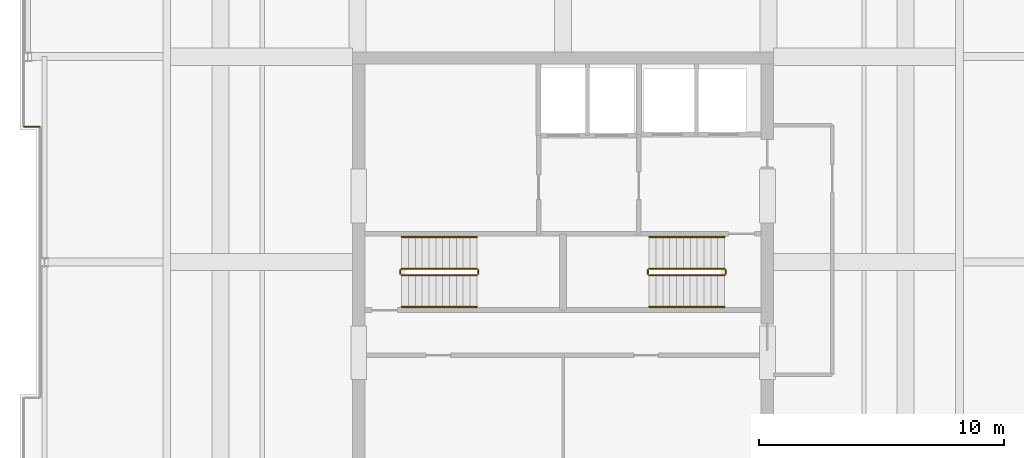
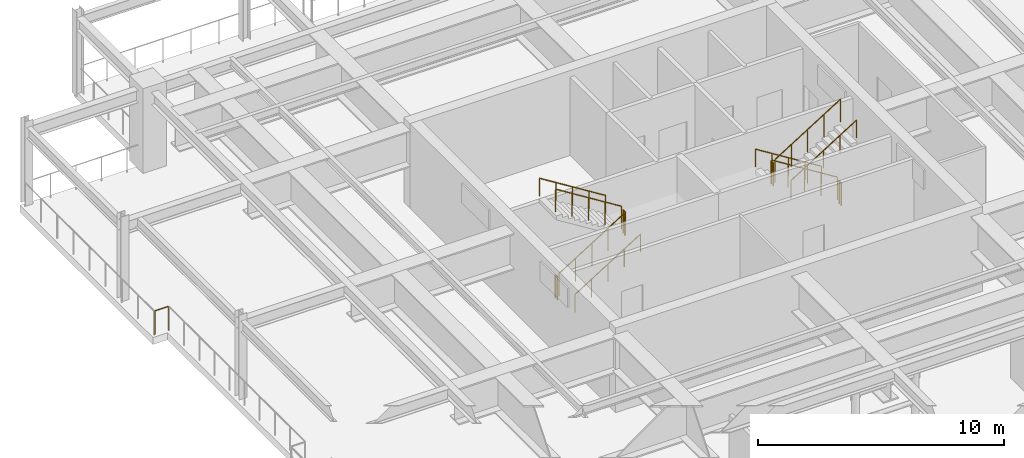
# One storey, part 11 of 12: 13 railings.
"""IFC4 building model written with IfcOpenShell, lengths in metres."""

from ifc_helpers import new_model, si_unit, direction, frame, origin, origin_2d, place, context, subcontext, project, spatial, circle, extrude, material, type_object, element, save


model = new_model("IFC4")

# Units and contexts
model_context = context("Model", 3, precision=1e-05, world=origin(), true_north=direction((0.0, 1.0)))
body_context = subcontext(model_context, "Body", "Model", "MODEL_VIEW")
ifc_project = project(units=[si_unit("LENGTHUNIT", "METRE"), si_unit("AREAUNIT", "SQUARE_METRE"), si_unit("VOLUMEUNIT", "CUBIC_METRE"), si_unit("PLANEANGLEUNIT", "RADIAN"), si_unit("MASSUNIT", "GRAM", prefix="KILO")], contexts=[model_context])

# Site, building, storey
site_placement = place(None, origin())
site = spatial("IfcSite", under=ifc_project, at=site_placement, CompositionType="ELEMENT")
building_placement = place(site_placement, origin())
building = spatial("IfcBuilding", under=site, at=building_placement, Name="Drelvath Grand Hotel", CompositionType="ELEMENT")
storey_placement = place(building_placement, frame((0.0, 0.0, 307.199951171875)))
storey = spatial("IfcBuildingStorey", under=building, at=storey_placement, Name="L80", CompositionType="ELEMENT", Elevation=307.199951171875)

# Railings
ifc_material_1 = material(Name="Painted Steel S275", Category="steel")
railing_type_1 = type_object("IfcRailingType", Name="Core Stair Wall Handrail 900", PredefinedType="HANDRAIL", material=ifc_material_1)
railing_1_placement = place(storey_placement, frame((-6.60009765625, 25.169921875, 0.175048828125)))
element("IfcRailing", 1, at=railing_1_placement, inside=storey, type_object=railing_type_1, Name="L80 ST-1 stair handrail 1", PredefinedType="HANDRAIL", context=body_context, shape_type="SweptSolid", body=[
    extrude(circle(Radius=0.02392578125, at=origin_2d()), frame((0.0, 0.0, 0.8759765625), z_axis=(0.847998304005, 0.0, 0.529998940003), x_axis=(0.0, 1.0, 0.0)), (0.0, 0.0, 1.0), 3.632080078125),
    extrude(circle(Radius=0.02099609375, at=origin_2d()), origin(), (0.0, 0.0, 1.0), 0.851806640625),
    extrude(circle(Radius=0.02099609375, at=origin_2d()), frame((0.77001953125, 0.0, 0.481201171875)), (0.0, 0.0, 1.0), 0.851806640625),
    extrude(circle(Radius=0.02099609375, at=origin_2d()), frame((1.5400390625, 0.0, 0.96240234375)), (0.0, 0.0, 1.0), 0.851806640625),
    extrude(circle(Radius=0.02099609375, at=origin_2d()), frame((2.31005859375, 0.0, 1.44384765625)), (0.0, 0.0, 1.0), 0.851806640625),
    extrude(circle(Radius=0.02099609375, at=origin_2d()), frame((3.080078125, 0.0, 1.925048828125)), (0.0, 0.0, 1.0), 0.851806640625),
])
railing_2_placement = place(storey_placement, frame((-3.52001953125, 28.030029296875, 2.275146484375)))
element("IfcRailing", 2, at=railing_2_placement, inside=storey, type_object=railing_type_1, Name="L80 ST-1 stair handrail 2", PredefinedType="HANDRAIL", context=body_context, shape_type="SweptSolid", body=[
    extrude(circle(Radius=0.02392578125, at=origin_2d()), frame((0.0, 0.0, 0.8759765625), z_axis=(-0.848028513186, 0.0, 0.529950602248), x_axis=(0.0, -1.0, 0.0)), (0.0, 0.0, 1.0), 3.632080078125),
    extrude(circle(Radius=0.02099609375, at=origin_2d()), origin(), (0.0, 0.0, 1.0), 0.851806640625),
    extrude(circle(Radius=0.02099609375, at=origin_2d()), frame((-0.77001953125, 0.0, 0.481201171875)), (0.0, 0.0, 1.0), 0.851806640625),
    extrude(circle(Radius=0.02099609375, at=origin_2d()), frame((-1.5400390625, 0.0, 0.96240234375)), (0.0, 0.0, 1.0), 0.851806640625),
    extrude(circle(Radius=0.02099609375, at=origin_2d()), frame((-2.31005859375, 0.0, 1.443603515625)), (0.0, 0.0, 1.0), 0.851806640625),
    extrude(circle(Radius=0.02099609375, at=origin_2d()), frame((-3.080078125, 0.0, 1.9248046875)), (0.0, 0.0, 1.0), 0.851806640625),
])
railing_3_placement = place(storey_placement, frame((6.60009765625, 28.030029296875, 0.175048828125)))
element("IfcRailing", 3, at=railing_3_placement, inside=storey, type_object=railing_type_1, Name="L80 ST-2 stair handrail 1", PredefinedType="HANDRAIL", context=body_context, shape_type="SweptSolid", body=[
    extrude(circle(Radius=0.02392578125, at=origin_2d()), frame((0.0, 0.0, 0.8759765625), z_axis=(-0.847998304005, 0.0, 0.529998940003), x_axis=(0.0, -1.0, 0.0)), (0.0, 0.0, 1.0), 3.632080078125),
    extrude(circle(Radius=0.02099609375, at=origin_2d()), origin(), (0.0, 0.0, 1.0), 0.851806640625),
    extrude(circle(Radius=0.02099609375, at=origin_2d()), frame((-0.77001953125, 0.0, 0.481201171875)), (0.0, 0.0, 1.0), 0.851806640625),
    extrude(circle(Radius=0.02099609375, at=origin_2d()), frame((-1.5400390625, 0.0, 0.96240234375)), (0.0, 0.0, 1.0), 0.851806640625),
    extrude(circle(Radius=0.02099609375, at=origin_2d()), frame((-2.31005859375, 0.0, 1.44384765625)), (0.0, 0.0, 1.0), 0.851806640625),
    extrude(circle(Radius=0.02099609375, at=origin_2d()), frame((-3.080078125, 0.0, 1.925048828125)), (0.0, 0.0, 1.0), 0.851806640625),
])
railing_4_placement = place(storey_placement, frame((3.52001953125, 25.169921875, 2.275146484375)))
element("IfcRailing", 4, at=railing_4_placement, inside=storey, type_object=railing_type_1, Name="L80 ST-2 stair handrail 2", PredefinedType="HANDRAIL", context=body_context, shape_type="SweptSolid", body=[
    extrude(circle(Radius=0.02392578125, at=origin_2d()), frame((0.0, 0.0, 0.8759765625), z_axis=(0.848028513186, 0.0, 0.529950602248), x_axis=(0.0, 1.0, 0.0)), (0.0, 0.0, 1.0), 3.632080078125),
    extrude(circle(Radius=0.02099609375, at=origin_2d()), origin(), (0.0, 0.0, 1.0), 0.851806640625),
    extrude(circle(Radius=0.02099609375, at=origin_2d()), frame((0.77001953125, 0.0, 0.481201171875)), (0.0, 0.0, 1.0), 0.851806640625),
    extrude(circle(Radius=0.02099609375, at=origin_2d()), frame((1.5400390625, 0.0, 0.96240234375)), (0.0, 0.0, 1.0), 0.851806640625),
    extrude(circle(Radius=0.02099609375, at=origin_2d()), frame((2.31005859375, 0.0, 1.443603515625)), (0.0, 0.0, 1.0), 0.851806640625),
    extrude(circle(Radius=0.02099609375, at=origin_2d()), frame((3.080078125, 0.0, 1.9248046875)), (0.0, 0.0, 1.0), 0.851806640625),
])
railing_type_2 = type_object("IfcRailingType", Name="Core Stair Well Guardrail 1100", PredefinedType="GUARDRAIL", material=ifc_material_1)
railing_5_placement = place(storey_placement, frame((-6.60009765625, 26.469970703125, 0.175048828125)))
element("IfcRailing", 5, at=railing_5_placement, inside=storey, type_object=railing_type_2, Name="L80 ST-1 stair guard 1", PredefinedType="GUARDRAIL", context=body_context, shape_type="SweptSolid", body=[
    extrude(circle(Radius=0.02392578125, at=origin_2d()), frame((0.0, 0.0, 1.1259765625), z_axis=(0.847998304005, 0.0, 0.529998940003), x_axis=(0.0, 1.0, 0.0)), (0.0, 0.0, 1.0), 3.632080078125),
    extrude(circle(Radius=0.02099609375, at=origin_2d()), origin(), (0.0, 0.0, 1.0), 1.101806640625),
    extrude(circle(Radius=0.02099609375, at=origin_2d()), frame((0.77001953125, 0.0, 0.481201171875)), (0.0, 0.0, 1.0), 1.101806640625),
    extrude(circle(Radius=0.02099609375, at=origin_2d()), frame((1.5400390625, 0.0, 0.96240234375)), (0.0, 0.0, 1.0), 1.101806640625),
    extrude(circle(Radius=0.02099609375, at=origin_2d()), frame((2.31005859375, 0.0, 1.44384765625)), (0.0, 0.0, 1.0), 1.101806640625),
    extrude(circle(Radius=0.02099609375, at=origin_2d()), frame((3.080078125, 0.0, 1.925048828125)), (0.0, 0.0, 1.0), 1.101806640625),
])
railing_6_placement = place(storey_placement, frame((-3.469970703125, 26.52001953125, 2.10009765625)))
element("IfcRailing", 6, at=railing_6_placement, inside=storey, type_object=railing_type_2, Name="L80 ST-1 stair guard 2", PredefinedType="GUARDRAIL", context=body_context, shape_type="SweptSolid", body=[
    extrude(circle(Radius=0.02392578125, at=origin_2d()), frame((0.0, 0.0, 1.1259765625), z_axis=(0.0, 1.0, 0.0), x_axis=(-1.0, 0.0, 0.0)), (0.0, 0.0, 1.0), 0.159912109375),
    extrude(circle(Radius=0.02099609375, at=origin_2d()), origin(), (0.0, 0.0, 1.0), 1.101806640625),
    extrude(circle(Radius=0.02099609375, at=origin_2d()), frame((0.0, 0.159912109375, 0.0)), (0.0, 0.0, 1.0), 1.101806640625),
])
railing_7_placement = place(storey_placement, frame((-3.52001953125, 26.72998046875, 2.275146484375)))
element("IfcRailing", 7, at=railing_7_placement, inside=storey, type_object=railing_type_2, Name="L80 ST-1 stair guard 3", PredefinedType="GUARDRAIL", context=body_context, shape_type="SweptSolid", body=[
    extrude(circle(Radius=0.02392578125, at=origin_2d()), frame((0.0, 0.0, 1.1259765625), z_axis=(-0.848028513186, 0.0, 0.529950602248), x_axis=(0.0, -1.0, 0.0)), (0.0, 0.0, 1.0), 3.632080078125),
    extrude(circle(Radius=0.02099609375, at=origin_2d()), origin(), (0.0, 0.0, 1.0), 1.101806640625),
    extrude(circle(Radius=0.02099609375, at=origin_2d()), frame((-0.77001953125, 0.0, 0.481201171875)), (0.0, 0.0, 1.0), 1.101806640625),
    extrude(circle(Radius=0.02099609375, at=origin_2d()), frame((-1.5400390625, 0.0, 0.96240234375)), (0.0, 0.0, 1.0), 1.101806640625),
    extrude(circle(Radius=0.02099609375, at=origin_2d()), frame((-2.31005859375, 0.0, 1.443603515625)), (0.0, 0.0, 1.0), 1.101806640625),
    extrude(circle(Radius=0.02099609375, at=origin_2d()), frame((-3.080078125, 0.0, 1.9248046875)), (0.0, 0.0, 1.0), 1.101806640625),
])
railing_8_placement = place(storey_placement, frame((-6.64990234375, 26.52001953125, 0.0)))
element("IfcRailing", 8, at=railing_8_placement, inside=storey, type_object=railing_type_2, Name="L80 ST-1 stair guard 4", PredefinedType="GUARDRAIL", context=body_context, shape_type="SweptSolid", body=[
    extrude(circle(Radius=0.02392578125, at=origin_2d()), frame((0.0, 0.0, 1.1259765625), z_axis=(0.0, 1.0, 0.0), x_axis=(-1.0, 0.0, 0.0)), (0.0, 0.0, 1.0), 0.159912109375),
    extrude(circle(Radius=0.02099609375, at=origin_2d()), origin(), (0.0, 0.0, 1.0), 1.101806640625),
    extrude(circle(Radius=0.02099609375, at=origin_2d()), frame((0.0, 0.159912109375, 0.0)), (0.0, 0.0, 1.0), 1.101806640625),
])
railing_9_placement = place(storey_placement, frame((6.60009765625, 26.72998046875, 0.175048828125)))
element("IfcRailing", 9, at=railing_9_placement, inside=storey, type_object=railing_type_2, Name="L80 ST-2 stair guard 1", PredefinedType="GUARDRAIL", context=body_context, shape_type="SweptSolid", body=[
    extrude(circle(Radius=0.02392578125, at=origin_2d()), frame((0.0, 0.0, 1.1259765625), z_axis=(-0.847998304005, 0.0, 0.529998940003), x_axis=(0.0, -1.0, 0.0)), (0.0, 0.0, 1.0), 3.632080078125),
    extrude(circle(Radius=0.02099609375, at=origin_2d()), origin(), (0.0, 0.0, 1.0), 1.101806640625),
    extrude(circle(Radius=0.02099609375, at=origin_2d()), frame((-0.77001953125, 0.0, 0.481201171875)), (0.0, 0.0, 1.0), 1.101806640625),
    extrude(circle(Radius=0.02099609375, at=origin_2d()), frame((-1.5400390625, 0.0, 0.96240234375)), (0.0, 0.0, 1.0), 1.101806640625),
    extrude(circle(Radius=0.02099609375, at=origin_2d()), frame((-2.31005859375, 0.0, 1.44384765625)), (0.0, 0.0, 1.0), 1.101806640625),
    extrude(circle(Radius=0.02099609375, at=origin_2d()), frame((-3.080078125, 0.0, 1.925048828125)), (0.0, 0.0, 1.0), 1.101806640625),
])
railing_10_placement = place(storey_placement, frame((3.469970703125, 26.679931640625, 2.10009765625)))
element("IfcRailing", 10, at=railing_10_placement, inside=storey, type_object=railing_type_2, Name="L80 ST-2 stair guard 2", PredefinedType="GUARDRAIL", context=body_context, shape_type="SweptSolid", body=[
    extrude(circle(Radius=0.02392578125, at=origin_2d()), frame((0.0, 0.0, 1.1259765625), z_axis=(0.0, -1.0, 0.0), x_axis=(1.0, 0.0, 0.0)), (0.0, 0.0, 1.0), 0.159912109375),
    extrude(circle(Radius=0.02099609375, at=origin_2d()), origin(), (0.0, 0.0, 1.0), 1.101806640625),
    extrude(circle(Radius=0.02099609375, at=origin_2d()), frame((0.0, -0.159912109375, 0.0)), (0.0, 0.0, 1.0), 1.101806640625),
])
railing_11_placement = place(storey_placement, frame((3.52001953125, 26.469970703125, 2.275146484375)))
element("IfcRailing", 11, at=railing_11_placement, inside=storey, type_object=railing_type_2, Name="L80 ST-2 stair guard 3", PredefinedType="GUARDRAIL", context=body_context, shape_type="SweptSolid", body=[
    extrude(circle(Radius=0.02392578125, at=origin_2d()), frame((0.0, 0.0, 1.1259765625), z_axis=(0.848028513186, 0.0, 0.529950602248), x_axis=(0.0, 1.0, 0.0)), (0.0, 0.0, 1.0), 3.632080078125),
    extrude(circle(Radius=0.02099609375, at=origin_2d()), origin(), (0.0, 0.0, 1.0), 1.101806640625),
    extrude(circle(Radius=0.02099609375, at=origin_2d()), frame((0.77001953125, 0.0, 0.481201171875)), (0.0, 0.0, 1.0), 1.101806640625),
    extrude(circle(Radius=0.02099609375, at=origin_2d()), frame((1.5400390625, 0.0, 0.96240234375)), (0.0, 0.0, 1.0), 1.101806640625),
    extrude(circle(Radius=0.02099609375, at=origin_2d()), frame((2.31005859375, 0.0, 1.443603515625)), (0.0, 0.0, 1.0), 1.101806640625),
    extrude(circle(Radius=0.02099609375, at=origin_2d()), frame((3.080078125, 0.0, 1.9248046875)), (0.0, 0.0, 1.0), 1.101806640625),
])
railing_12_placement = place(storey_placement, frame((6.64990234375, 26.679931640625, 0.0)))
element("IfcRailing", 12, at=railing_12_placement, inside=storey, type_object=railing_type_2, Name="L80 ST-2 stair guard 4", PredefinedType="GUARDRAIL", context=body_context, shape_type="SweptSolid", body=[
    extrude(circle(Radius=0.02392578125, at=origin_2d()), frame((0.0, 0.0, 1.1259765625), z_axis=(0.0, -1.0, 0.0), x_axis=(1.0, 0.0, 0.0)), (0.0, 0.0, 1.0), 0.159912109375),
    extrude(circle(Radius=0.02099609375, at=origin_2d()), origin(), (0.0, 0.0, 1.0), 1.101806640625),
    extrude(circle(Radius=0.02099609375, at=origin_2d()), frame((0.0, -0.159912109375, 0.0)), (0.0, 0.0, 1.0), 1.101806640625),
])
ifc_material_2 = material(Name="Stainless Steel Grade 316 Guardrail", Category="steel")
railing_type_3 = type_object("IfcRailingType", Name="Open Wind-Slot Perimeter Guardrail 1200", PredefinedType="GUARDRAIL", material=ifc_material_2)
railing_13_placement = place(storey_placement, frame((-21.402099609375, 32.5400390625, 0.0)))
element("IfcRailing", 13, at=railing_13_placement, inside=storey, type_object=railing_type_3, Name="L80 Open Wind-Turbine Deck Perimeter Guardrail E06", PredefinedType="GUARDRAIL", context=body_context, shape_type="SweptSolid", body=[
    extrude(circle(Radius=0.02392578125, at=origin_2d()), frame((0.0, 0.0, 1.17578125), z_axis=(-1.0, 0.0, 0.0), x_axis=(0.0, -1.0, 0.0)), (0.0, 0.0, 1.0), 0.635986328125),
    extrude(circle(Radius=0.02099609375, at=origin_2d()), origin(), (0.0, 0.0, 1.0), 1.15185546875),
    extrude(circle(Radius=0.02099609375, at=origin_2d()), frame((-0.635986328125, 0.0, 0.0)), (0.0, 0.0, 1.0), 1.15185546875),
])

save(model, "model.ifc")
